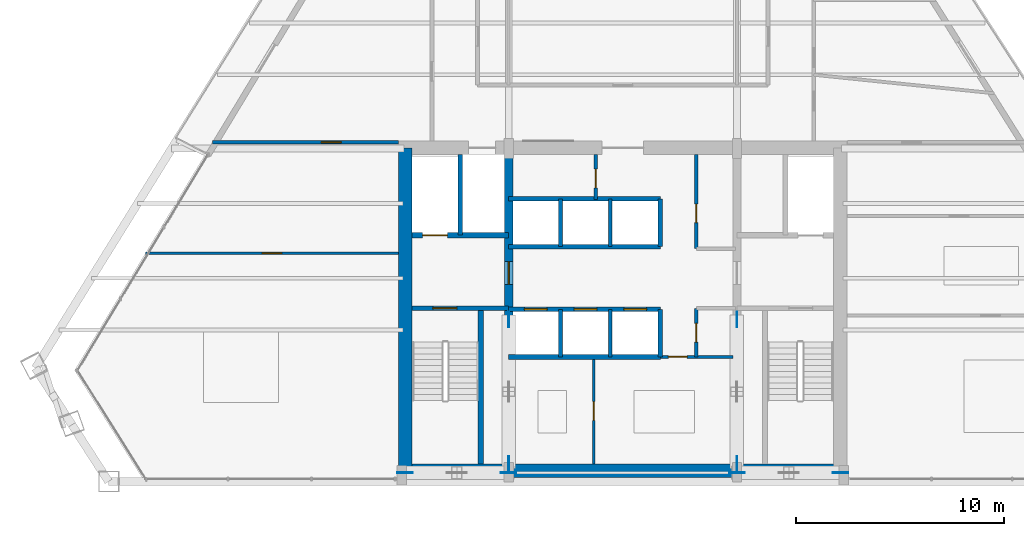
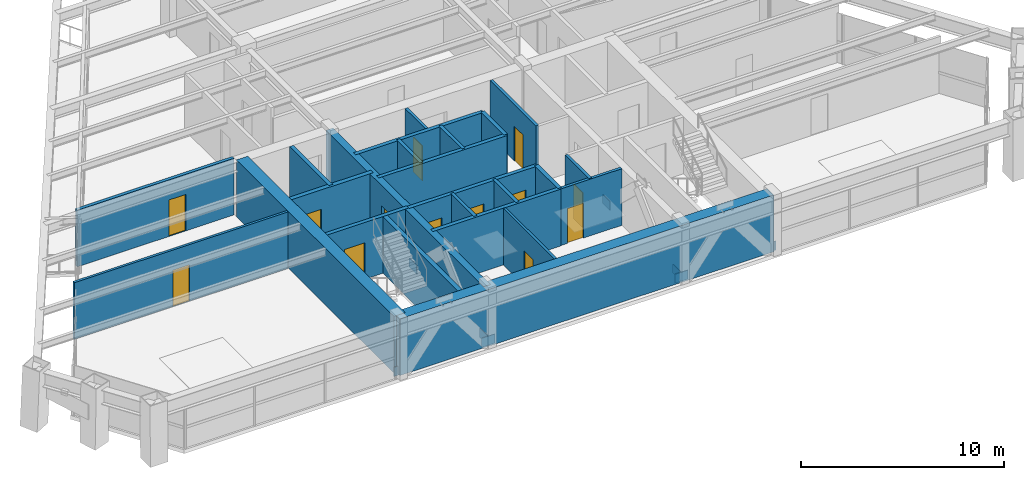
# One storey, part 8 of 12: 24 walls, 13 doors, 8 plates, 13 openings.
"""IFC4 building model written with IfcOpenShell, lengths in metres."""

from ifc_helpers import new_model, si_unit, direction, frame, frame_2d, origin, origin_2d, place, context, subcontext, project, spatial, rectangle, extrude, source, transform, mapped, material, layer, layer_set, type_object, type_shapes, element, fill, save


model = new_model("IFC4")

# Units and contexts
model_context = context("Model", 3, precision=1e-05, world=origin(), true_north=direction((0.0, 1.0)))
body_context = subcontext(model_context, "Body", "Model", "MODEL_VIEW")
ifc_project = project(units=[si_unit("LENGTHUNIT", "METRE"), si_unit("AREAUNIT", "SQUARE_METRE"), si_unit("VOLUMEUNIT", "CUBIC_METRE"), si_unit("PLANEANGLEUNIT", "RADIAN"), si_unit("MASSUNIT", "GRAM", prefix="KILO")], contexts=[model_context])

# Site, building, storey
site_placement = place(None, origin())
site = spatial("IfcSite", under=ifc_project, at=site_placement, CompositionType="ELEMENT")
building_placement = place(site_placement, origin())
building = spatial("IfcBuilding", under=site, at=building_placement, Name="Varnakhor Terracotta Tower", CompositionType="ELEMENT")
storey_placement = place(building_placement, frame((0.0, 0.0, 211.699951171875)))
storey = spatial("IfcBuildingStorey", under=building, at=storey_placement, Name="L54", CompositionType="ELEMENT", Elevation=211.699951171875)

# Plates
ifc_material_1 = material(Name="Steel S460", Category="steel")
ifc_layer_1 = layer(ifc_material_1, 0.050048828125, Name="Steel S460")
ifc_layer_set_1 = layer_set([ifc_layer_1], Name="Steel S460")
plate_type = type_object("IfcPlateType", Name="PLT-GUSSET-50", PredefinedType="USERDEFINED", material=ifc_layer_set_1)
shared_shape_1 = source(origin(), body_context, "Body", "SweptSolid", [
    extrude(rectangle(XDim=0.75, YDim=0.0400390625, at=origin_2d()), origin(), (0.0, 0.0, 1.0), 0.550048828125),
])
type_shapes(plate_type, [shared_shape_1])
for number, where, z_axis, x_axis, name in (
    (1, (-10.5, 0.419921875, -0.09521484375), (0.0, 0.0, 1.0), (1.0, 0.0, 0.0), "L54 Core Brace Embed Plate CSWA"),
    (2, (-5.5, 0.419921875, -0.09521484375), (0.0, 0.0, 1.0), (1.0, 0.0, 0.0), "L54 Core Brace Embed Plate CSWB"),
    (3, (5.5, 0.419921875, -0.09521484375), (0.0, 0.0, 1.0), (1.0, 0.0, 0.0), "L54 Core Brace Embed Plate CSEA"),
    (4, (10.5, 0.419921875, -0.09521484375), (0.0, 0.0, 1.0), (1.0, 0.0, 0.0), "L54 Core Brace Embed Plate CSEB"),
    (5, (-5.5, 0.85009765625, -0.09521484375), (0.0, 0.0, 1.0), (0.0, 1.0, 0.0), "L54 Core Brace Embed Plate CWWA"),
    (6, (-5.5, 7.800048828125, -0.09521484375), (0.0, 0.0, 1.0), (0.0, 1.0, 0.0), "L54 Core Brace Embed Plate CWWB"),
    (7, (5.5, 0.85009765625, -0.09521484375), (0.0, 0.0, 1.0), (0.0, 1.0, 0.0), "L54 Core Brace Embed Plate CWEA"),
    (8, (5.5, 7.800048828125, -0.09521484375), (0.0, 0.0, 1.0), (0.0, 1.0, 0.0), "L54 Core Brace Embed Plate CWEB"),
):
    element("IfcPlate", number, at=place(storey_placement, frame(where, z_axis=z_axis, x_axis=x_axis)), inside=storey, type_object=plate_type, Name=name, ObjectType="GUSSET PLATE", PredefinedType="USERDEFINED", context=body_context, shape_type="MappedRepresentation", body=[
        mapped(shared_shape_1, transform((0.0, 0.0, 0.0), scale=1.0)),
    ])

# Walls
ifc_material_2 = material(Name="Concrete C50/60", Category="concrete")
ifc_layer_2 = layer(ifc_material_2, 0.64990234375, Name="Concrete C50/60")
ifc_layer_set_2 = layer_set([ifc_layer_2], Name="Concrete C50/60")
wall_type_1 = type_object("IfcWallType", Name="WAL-CORE-650", PredefinedType="SHEAR", material=ifc_layer_set_2)
wall_1_placement = place(storey_placement, frame((-10.64990234375, 0.52490234375, 0.0), z_axis=(0.0, 0.0, 1.0), x_axis=(1.0, 0.0, 0.0)))
element("IfcWall", 9, at=wall_1_placement, inside=storey, type_object=wall_type_1, Name="L54 South Core Shear Wall", PredefinedType="SHEAR", context=body_context, shape_type="SweptSolid", body=[
    extrude(rectangle(XDim=21.2998046875, YDim=0.64990234375, at=frame_2d((10.64990234375, 0.0))), origin(), (0.0, 0.0, 1.0), 3.420166015625),
])
wall_2_placement = place(storey_placement, frame((-10.47509765625, 0.52490234375, 0.0), z_axis=(0.0, 0.0, 1.0), x_axis=(0.0, 1.0, 0.0)))
element("IfcWall", 10, at=wall_2_placement, inside=storey, type_object=wall_type_1, Name="L54 West Core Shear Wall", PredefinedType="SHEAR", context=body_context, shape_type="SweptSolid", body=[
    extrude(rectangle(XDim=15.550048828125, YDim=0.64990234375, at=frame_2d((7.77490234375, 0.0))), origin(), (0.0, 0.0, 1.0), 3.420166015625),
])

# Wall, opening, door
ifc_layer_3 = layer(ifc_material_2, 0.39990234375, Name="Concrete C50/60")
ifc_layer_set_3 = layer_set([ifc_layer_3], Name="Concrete C50/60")
wall_type_2 = type_object("IfcWallType", Name="WAL-CORE-WEB-400", PredefinedType="SHEAR", material=ifc_layer_set_3)
wall_3_placement = place(storey_placement, frame((-5.5, 0.52490234375, 0.0), z_axis=(0.0, 0.0, 1.0), x_axis=(0.0, 1.0, 0.0)))
wall_3 = element("IfcWall", 11, at=wall_3_placement, inside=storey, type_object=wall_type_2, Name="L54 West Core Web Shear Wall", PredefinedType="SHEAR", context=body_context, shape_type="SweptSolid", body=[
    extrude(rectangle(XDim=15.550048828125, YDim=0.39990234375, at=frame_2d((7.77490234375, 0.0))), origin(), (0.0, 0.0, 1.0), 3.420166015625),
])
opening_1_placement = place(wall_3_placement, frame((8.97509765625, 0.0, 0.0)))
opening_1 = element("IfcOpeningElement", 12, at=opening_1_placement, cuts=wall_3, Name="Opening DR-25", PredefinedType="OPENING", context=body_context, shape_type="SweptSolid", body=[
    extrude(rectangle(XDim=1.10009765625, YDim=2.199951171875, at=frame_2d((0.550048828125, 1.10009765625))), frame((0.0, 0.2099609375, 0.0), z_axis=(0.0, -1.0, 0.0), x_axis=(1.0, 0.0, 0.0)), (0.0, 0.0, 1.0), 0.419921875),
])
ifc_material_3 = material(Name="Firefighting Lobby Self-Closing Fire Door", Category="steel")
door_type_1 = type_object("IfcDoorType", Name="DR-FFL-1100X2200", OperationType="NOTDEFINED", PredefinedType="DOOR", material=ifc_material_3)
shared_shape_2 = source(origin(), body_context, "Body", "SweptSolid", [
    extrude(rectangle(XDim=1.10009765625, YDim=2.199951171875, at=frame_2d((0.550048828125, 1.10009765625))), frame((0.0, 0.02490234375, 0.0), z_axis=(0.0, -1.0, 0.0), x_axis=(1.0, 0.0, 0.0)), (0.0, 0.0, 1.0), 0.050048828125),
])
type_shapes(door_type_1, [shared_shape_2])
door_1_placement = place(opening_1_placement, origin())
door_1 = element("IfcDoor", 13, at=door_1_placement, inside=storey, type_object=door_type_1, Name="L54 West Firefighting Lobby Door", OperationType="SINGLE_SWING_RIGHT", OverallHeight=2.199951171875, OverallWidth=1.10009765625, PredefinedType="DOOR", context=body_context, shape_type="MappedRepresentation", body=[
    mapped(shared_shape_2, transform((0.0, 0.0, 0.0), scale=1.0)),
])
fill(opening_1, door_1)

ifc_material_4 = material(Name="Fire-Rated Gypsum Stud Partition", Category="gypsum")
ifc_layer_4 = layer(ifc_material_4, 0.18505859375, Name="Fire-Rated Gypsum Stud Partition")
ifc_layer_set_4 = layer_set([ifc_layer_4], Name="Fire-Rated Gypsum Stud Partition")
wall_type_3 = type_object("IfcWallType", Name="WAL-CORR-185", PredefinedType="PARTITIONING", material=ifc_layer_set_4)
wall_4_placement = place(storey_placement, frame((-19.76220703125, 16.35009765625, 0.0), z_axis=(0.0, 0.0, 1.0), x_axis=(1.0, 0.0, 0.0)))
wall_4 = element("IfcWall", 14, at=wall_4_placement, inside=storey, type_object=wall_type_3, Name="L54 South West Entry Wall", PredefinedType="PARTITIONING", context=body_context, shape_type="SweptSolid", body=[
    extrude(rectangle(XDim=8.942138671875, YDim=0.18505859375, at=frame_2d((4.47119140625, 0.0))), origin(), (0.0, 0.0, 1.0), 3.412109375),
])
opening_2_placement = place(wall_4_placement, frame((5.2353515625, 0.0, 0.0)))
opening_2 = element("IfcOpeningElement", 15, at=opening_2_placement, cuts=wall_4, Name="Opening DR-94", PredefinedType="OPENING", context=body_context, shape_type="SweptSolid", body=[
    extrude(rectangle(XDim=0.949951171875, YDim=2.199951171875, at=frame_2d((0.47509765625, 1.10009765625))), frame((0.0, 0.1025390625, 0.0), z_axis=(0.0, -1.0, 0.0), x_axis=(1.0, 0.0, 0.0)), (0.0, 0.0, 1.0), 0.205078125),
])
ifc_material_5 = material(Name="Acoustic Glazed-Vision Timber Office Door", Category="wood")
door_type_2 = type_object("IfcDoorType", Name="DR-OFF-950X2200", OperationType="NOTDEFINED", PredefinedType="DOOR", material=ifc_material_5)
shared_shape_3 = source(origin(), body_context, "Body", "SweptSolid", [
    extrude(rectangle(XDim=0.949951171875, YDim=2.199951171875, at=frame_2d((0.47509765625, 1.10009765625))), frame((0.0, 0.02490234375, 0.0), z_axis=(0.0, -1.0, 0.0), x_axis=(1.0, 0.0, 0.0)), (0.0, 0.0, 1.0), 0.050048828125),
])
type_shapes(door_type_2, [shared_shape_3])
door_2_placement = place(opening_2_placement, origin())
door_2 = element("IfcDoor", 16, at=door_2_placement, inside=storey, type_object=door_type_2, Name="L54 SW Suite Door", OperationType="SINGLE_SWING_LEFT", OverallHeight=2.199951171875, OverallWidth=0.949951171875, PredefinedType="DOOR", context=body_context, shape_type="MappedRepresentation", body=[
    mapped(shared_shape_3, transform((0.0, 0.0, 0.0), scale=1.0)),
])
fill(opening_2, door_2)

ifc_material_6 = material(Name="Concrete C40/50", Category="concrete")
ifc_layer_5 = layer(ifc_material_6, 0.219970703125, Name="Concrete C40/50")
ifc_layer_set_5 = layer_set([ifc_layer_5], Name="Concrete C40/50")
wall_type_4 = type_object("IfcWallType", Name="WAL-FFLOBBY-220", PredefinedType="SOLIDWALL", material=ifc_layer_set_5)
wall_5_placement = place(storey_placement, frame((-5.5, 8.35009765625, 0.0), z_axis=(0.0, 0.0, 1.0), x_axis=(-1.0, 0.0, 0.0)))
wall_5 = element("IfcWall", 17, at=wall_5_placement, inside=storey, type_object=wall_type_4, Name="L54 West Firefighting Lobby Stair Wall", PredefinedType="SOLIDWALL", context=body_context, shape_type="SweptSolid", body=[
    extrude(rectangle(XDim=4.64990234375, YDim=0.219970703125, at=frame_2d((2.324951171875, 0.0))), origin(), (0.0, 0.0, 1.0), 3.420166015625),
])
opening_3_placement = place(wall_5_placement, frame((2.5, 0.0, 0.0)))
opening_3 = element("IfcOpeningElement", 18, at=opening_3_placement, cuts=wall_5, Name="Opening DR-34", PredefinedType="OPENING", context=body_context, shape_type="SweptSolid", body=[
    extrude(rectangle(XDim=1.14990234375, YDim=2.199951171875, at=frame_2d((0.574951171875, 1.10009765625))), frame((0.0, 0.1201171875, 0.0), z_axis=(0.0, -1.0, 0.0), x_axis=(1.0, 0.0, 0.0)), (0.0, 0.0, 1.0), 0.239990234375),
])
ifc_material_7 = material(Name="Self-Closing Smoke-Sealed Steel Fire Door", Category="steel")
door_type_3 = type_object("IfcDoorType", Name="DR-STAIR-1150X2200", OperationType="NOTDEFINED", PredefinedType="DOOR", material=ifc_material_7)
shared_shape_4 = source(origin(), body_context, "Body", "SweptSolid", [
    extrude(rectangle(XDim=1.14990234375, YDim=2.199951171875, at=frame_2d((0.574951171875, 1.10009765625))), frame((0.0, 0.02490234375, 0.0), z_axis=(0.0, -1.0, 0.0), x_axis=(1.0, 0.0, 0.0)), (0.0, 0.0, 1.0), 0.050048828125),
])
type_shapes(door_type_3, [shared_shape_4])
door_3_placement = place(opening_3_placement, origin())
door_3 = element("IfcDoor", 19, at=door_3_placement, inside=storey, type_object=door_type_3, Name="L54 Exit Stair ST-1 Fire Door", OperationType="SINGLE_SWING_LEFT", OverallHeight=2.199951171875, OverallWidth=1.14990234375, PredefinedType="DOOR", context=body_context, shape_type="MappedRepresentation", body=[
    mapped(shared_shape_4, transform((0.0, 0.0, 0.0), scale=1.0)),
])
fill(opening_3, door_3)

ifc_material_8 = material(Name="Acoustic Metal-Stud Partition", Category="gypsum")
ifc_layer_6 = layer(ifc_material_8, 0.139892578125, Name="Acoustic Metal-Stud Partition")
ifc_layer_set_6 = layer_set([ifc_layer_6], Name="Acoustic Metal-Stud Partition")
wall_type_5 = type_object("IfcWallType", Name="WAL-PART-140", PredefinedType="PARTITIONING", material=ifc_layer_set_6)
wall_6_placement = place(storey_placement, frame((-22.997314453125, 11.0, 0.0), z_axis=(0.0, 0.0, 1.0), x_axis=(1.0, 0.0, 0.0)))
wall_6 = element("IfcWall", 20, at=wall_6_placement, inside=storey, type_object=wall_type_5, Name="L54 West Wing Cut 1", PredefinedType="PARTITIONING", context=body_context, shape_type="SweptSolid", body=[
    extrude(rectangle(XDim=12.17724609375, YDim=0.139892578125, at=frame_2d((6.088623046875, 0.0))), origin(), (0.0, 0.0, 1.0), 3.412109375),
])
opening_4_placement = place(wall_6_placement, frame((5.618408203125, 0.0, 0.0)))
opening_4 = element("IfcOpeningElement", 21, at=opening_4_placement, cuts=wall_6, Name="Opening DR-94", PredefinedType="OPENING", context=body_context, shape_type="SweptSolid", body=[
    extrude(rectangle(XDim=0.949951171875, YDim=2.199951171875, at=frame_2d((0.47509765625, 1.10009765625))), frame((0.0, 0.080078125, 0.0), z_axis=(0.0, -1.0, 0.0), x_axis=(1.0, 0.0, 0.0)), (0.0, 0.0, 1.0), 0.159912109375),
])
door_4_placement = place(opening_4_placement, origin())
door_4 = element("IfcDoor", 22, at=door_4_placement, inside=storey, type_object=door_type_2, Name="L54 Counsel Study Room Door", OperationType="SINGLE_SWING_LEFT", OverallHeight=2.199951171875, OverallWidth=0.949951171875, PredefinedType="DOOR", context=body_context, shape_type="MappedRepresentation", body=[
    mapped(shared_shape_3, transform((0.0, 0.0, 0.0), scale=1.0)),
])
fill(opening_4, door_4)

# Walls
ifc_layer_7 = layer(ifc_material_6, 0.179931640625, Name="Concrete C40/50")
ifc_layer_set_7 = layer_set([ifc_layer_7], Name="Concrete C40/50")
wall_type_6 = type_object("IfcWallType", Name="WAL-SHAFT-180", PredefinedType="SOLIDWALL", material=ifc_layer_set_7)
for number, where, z_axis, x_axis, name in (
    (23, (-3.0, 6.0, 0.0), (0.0, 0.0, 1.0), (0.0, 1.0, 0.0), "L54 PL-2A Divider"),
    (24, (-0.60009765625, 6.0, 0.0), (0.0, 0.0, 1.0), (0.0, 1.0, 0.0), "L54 PL-2B Divider"),
    (25, (-3.0, 11.320068359375, 0.0), (0.0, 0.0, 1.0), (0.0, 1.0, 0.0), "L54 PL-3A Divider"),
    (26, (-0.60009765625, 11.320068359375, 0.0), (0.0, 0.0, 1.0), (0.0, 1.0, 0.0), "L54 PL-3B Divider"),
):
    element("IfcWall", number, at=place(storey_placement, frame(where, z_axis=z_axis, x_axis=x_axis)), inside=storey, type_object=wall_type_6, Name=name, PredefinedType="SOLIDWALL", context=body_context, shape_type="SweptSolid", body=[
        extrude(rectangle(XDim=2.300048828125, YDim=0.179931640625, at=frame_2d((1.14990234375, 0.0))), origin(), (0.0, 0.0, 1.0), 3.420166015625),
    ])
ifc_layer_8 = layer(ifc_material_6, 0.219970703125, Name="Concrete C40/50")
ifc_layer_set_8 = layer_set([ifc_layer_8], Name="Concrete C40/50")
wall_type_7 = type_object("IfcWallType", Name="WAL-SHAFT-220", PredefinedType="SOLIDWALL", material=ifc_layer_set_8)
wall_7_placement = place(storey_placement, frame((-7.840087890625, 11.8701171875, 0.0), z_axis=(0.0, 0.0, 1.0), x_axis=(0.0, 1.0, 0.0)))
element("IfcWall", 27, at=wall_7_placement, inside=storey, type_object=wall_type_7, Name="L54 Lift FFL-1 and SVL-1 Divider Wall", PredefinedType="SOLIDWALL", context=body_context, shape_type="SweptSolid", body=[
    extrude(rectangle(XDim=3.8798828125, YDim=0.219970703125, at=frame_2d((1.93994140625, 0.0))), origin(), (0.0, 0.0, 1.0), 3.420166015625),
])
wall_8_placement = place(storey_placement, frame((-5.5, 6.0, 0.0), z_axis=(0.0, 0.0, 1.0), x_axis=(1.0, 0.0, 0.0)))
element("IfcWall", 28, at=wall_8_placement, inside=storey, type_object=wall_type_7, Name="L54 Bank 2 South Shaft Wall", PredefinedType="SOLIDWALL", context=body_context, shape_type="SweptSolid", body=[
    extrude(rectangle(XDim=7.320068359375, YDim=0.219970703125, at=frame_2d((3.66015625, 0.0))), origin(), (0.0, 0.0, 1.0), 3.420166015625),
])

# Wall, openings, doors
wall_9_placement = place(storey_placement, frame((-5.5, 8.300048828125, 0.0), z_axis=(0.0, 0.0, 1.0), x_axis=(1.0, 0.0, 0.0)))
wall_9 = element("IfcWall", 29, at=wall_9_placement, inside=storey, type_object=wall_type_7, Name="L54 Bank 2 North Shaft Wall", PredefinedType="SOLIDWALL", context=body_context, shape_type="SweptSolid", body=[
    extrude(rectangle(XDim=7.320068359375, YDim=0.219970703125, at=frame_2d((3.66015625, 0.0))), origin(), (0.0, 0.0, 1.0), 3.420166015625),
])
opening_5_placement = place(wall_9_placement, frame((0.75, 0.0, 0.0)))
opening_5 = element("IfcOpeningElement", 30, at=opening_5_placement, cuts=wall_9, Name="Opening LD-01", PredefinedType="OPENING", context=body_context, shape_type="SweptSolid", body=[
    extrude(rectangle(XDim=1.10009765625, YDim=2.199951171875, at=frame_2d((0.550048828125, 1.10009765625))), frame((0.0, 0.1201171875, 0.0), z_axis=(0.0, -1.0, 0.0), x_axis=(1.0, 0.0, 0.0)), (0.0, 0.0, 1.0), 0.239990234375),
])
opening_6_placement = place(wall_9_placement, frame((3.14990234375, 0.0, 0.0)))
opening_6 = element("IfcOpeningElement", 31, at=opening_6_placement, cuts=wall_9, Name="Opening LD-01", PredefinedType="OPENING", context=body_context, shape_type="SweptSolid", body=[
    extrude(rectangle(XDim=1.10009765625, YDim=2.199951171875, at=frame_2d((0.550048828125, 1.10009765625))), frame((0.0, 0.1201171875, 0.0), z_axis=(0.0, -1.0, 0.0), x_axis=(1.0, 0.0, 0.0)), (0.0, 0.0, 1.0), 0.239990234375),
])
opening_7_placement = place(wall_9_placement, frame((5.550048828125, 0.0, 0.0)))
opening_7 = element("IfcOpeningElement", 32, at=opening_7_placement, cuts=wall_9, Name="Opening LD-01", PredefinedType="OPENING", context=body_context, shape_type="SweptSolid", body=[
    extrude(rectangle(XDim=1.10009765625, YDim=2.199951171875, at=frame_2d((0.550048828125, 1.10009765625))), frame((0.0, 0.1201171875, 0.0), z_axis=(0.0, -1.0, 0.0), x_axis=(1.0, 0.0, 0.0)), (0.0, 0.0, 1.0), 0.239990234375),
])
ifc_material_9 = material(Name="Brushed Stainless Steel Sliding Lift Landing Door", Category="steel")
door_type_4 = type_object("IfcDoorType", Name="LD-PASS-1100X2200", OperationType="NOTDEFINED", PredefinedType="DOOR", material=ifc_material_9)
shared_shape_5 = source(origin(), body_context, "Body", "SweptSolid", [
    extrude(rectangle(XDim=1.10009765625, YDim=2.199951171875, at=frame_2d((0.550048828125, 1.10009765625))), frame((0.0, 0.02490234375, 0.0), z_axis=(0.0, -1.0, 0.0), x_axis=(1.0, 0.0, 0.0)), (0.0, 0.0, 1.0), 0.050048828125),
])
type_shapes(door_type_4, [shared_shape_5])
door_5_placement = place(opening_5_placement, origin())
door_5 = element("IfcDoor", 33, at=door_5_placement, inside=storey, type_object=door_type_4, Name="L54 Passenger Lift PL-2A Landing Door", OperationType="SLIDING_TO_LEFT", OverallHeight=2.199951171875, OverallWidth=1.10009765625, PredefinedType="DOOR", context=body_context, shape_type="MappedRepresentation", body=[
    mapped(shared_shape_5, transform((0.0, 0.0, 0.0), scale=1.0)),
])
fill(opening_5, door_5)
door_6_placement = place(opening_6_placement, origin())
door_6 = element("IfcDoor", 34, at=door_6_placement, inside=storey, type_object=door_type_4, Name="L54 Passenger Lift PL-2B Landing Door", OperationType="SLIDING_TO_LEFT", OverallHeight=2.199951171875, OverallWidth=1.10009765625, PredefinedType="DOOR", context=body_context, shape_type="MappedRepresentation", body=[
    mapped(shared_shape_5, transform((0.0, 0.0, 0.0), scale=1.0)),
])
fill(opening_6, door_6)
door_7_placement = place(opening_7_placement, origin())
door_7 = element("IfcDoor", 35, at=door_7_placement, inside=storey, type_object=door_type_4, Name="L54 Passenger Lift PL-2C Landing Door", OperationType="SLIDING_TO_LEFT", OverallHeight=2.199951171875, OverallWidth=1.10009765625, PredefinedType="DOOR", context=body_context, shape_type="MappedRepresentation", body=[
    mapped(shared_shape_5, transform((0.0, 0.0, 0.0), scale=1.0)),
])
fill(opening_7, door_7)

# Walls
wall_10_placement = place(storey_placement, frame((1.800048828125, 6.0, 0.0), z_axis=(0.0, 0.0, 1.0), x_axis=(0.0, 1.0, 0.0)))
element("IfcWall", 36, at=wall_10_placement, inside=storey, type_object=wall_type_7, Name="L54 Bank 2 East Shaft Wall", PredefinedType="SOLIDWALL", context=body_context, shape_type="SweptSolid", body=[
    extrude(rectangle(XDim=2.300048828125, YDim=0.219970703125, at=frame_2d((1.14990234375, 0.0))), origin(), (0.0, 0.0, 1.0), 3.420166015625),
])
for number, where, z_axis, x_axis, name in (
    (37, (-5.5, 11.320068359375, 0.0), (0.0, 0.0, 1.0), (1.0, 0.0, 0.0), "L54 Bank 3 South Shaft Wall"),
    (38, (-5.5, 13.6201171875, 0.0), (0.0, 0.0, 1.0), (1.0, 0.0, 0.0), "L54 Bank 3 North Shaft Wall"),
):
    element("IfcWall", number, at=place(storey_placement, frame(where, z_axis=z_axis, x_axis=x_axis)), inside=storey, type_object=wall_type_7, Name=name, PredefinedType="SOLIDWALL", context=body_context, shape_type="SweptSolid", body=[
        extrude(rectangle(XDim=7.320068359375, YDim=0.219970703125, at=frame_2d((3.66015625, 0.0))), origin(), (0.0, 0.0, 1.0), 3.420166015625),
    ])
wall_11_placement = place(storey_placement, frame((1.800048828125, 11.320068359375, 0.0), z_axis=(0.0, 0.0, 1.0), x_axis=(0.0, 1.0, 0.0)))
element("IfcWall", 39, at=wall_11_placement, inside=storey, type_object=wall_type_7, Name="L54 Bank 3 East Shaft Wall", PredefinedType="SOLIDWALL", context=body_context, shape_type="SweptSolid", body=[
    extrude(rectangle(XDim=2.300048828125, YDim=0.219970703125, at=frame_2d((1.14990234375, 0.0))), origin(), (0.0, 0.0, 1.0), 3.420166015625),
])
ifc_layer_9 = layer(ifc_material_6, 0.25, Name="Concrete C40/50")
ifc_layer_set_9 = layer_set([ifc_layer_9], Name="Concrete C40/50")
wall_type_8 = type_object("IfcWallType", Name="WAL-SHAFT-250", PredefinedType="SOLIDWALL", material=ifc_layer_set_9)
wall_12_placement = place(storey_placement, frame((-6.85009765625, 0.85009765625, 0.0), z_axis=(0.0, 0.0, 1.0), x_axis=(0.0, 1.0, 0.0)))
element("IfcWall", 40, at=wall_12_placement, inside=storey, type_object=wall_type_8, Name="L54 Stair ST-1 Bearing Shaft Wall", PredefinedType="SOLIDWALL", context=body_context, shape_type="SweptSolid", body=[
    extrude(rectangle(XDim=7.5, YDim=0.25, at=frame_2d((3.75, 0.0))), origin(), (0.0, 0.0, 1.0), 3.420166015625),
])

# Wall, opening, door
wall_13_placement = place(storey_placement, frame((-5.5, 11.8701171875, 0.0), z_axis=(0.0, 0.0, 1.0), x_axis=(-1.0, 0.0, 0.0)))
wall_13 = element("IfcWall", 41, at=wall_13_placement, inside=storey, type_object=wall_type_8, Name="L54 Lift FFL-1 Shaft Front Wall", PredefinedType="SOLIDWALL", context=body_context, shape_type="SweptSolid", body=[
    extrude(rectangle(XDim=4.64990234375, YDim=0.25, at=frame_2d((2.324951171875, 0.0))), origin(), (0.0, 0.0, 1.0), 3.420166015625),
])
opening_8_placement = place(wall_13_placement, frame((2.949951171875, 0.0, 0.0)))
opening_8 = element("IfcOpeningElement", 42, at=opening_8_placement, cuts=wall_13, Name="Opening LD-02", PredefinedType="OPENING", context=body_context, shape_type="SweptSolid", body=[
    extrude(rectangle(XDim=1.199951171875, YDim=2.25, at=frame_2d((0.60009765625, 1.125))), frame((0.0, 0.135009765625, 0.0), z_axis=(0.0, -1.0, 0.0), x_axis=(1.0, 0.0, 0.0)), (0.0, 0.0, 1.0), 0.27001953125),
])
ifc_material_10 = material(Name="Firefighting Stretcher Sliding Lift Landing Door", Category="steel")
door_type_5 = type_object("IfcDoorType", Name="LD-FFL-1200X2250", OperationType="NOTDEFINED", PredefinedType="DOOR", material=ifc_material_10)
shared_shape_6 = source(origin(), body_context, "Body", "SweptSolid", [
    extrude(rectangle(XDim=1.199951171875, YDim=2.25, at=frame_2d((0.60009765625, 1.125))), frame((0.0, 0.02490234375, 0.0), z_axis=(0.0, -1.0, 0.0), x_axis=(1.0, 0.0, 0.0)), (0.0, 0.0, 1.0), 0.050048828125),
])
type_shapes(door_type_5, [shared_shape_6])
door_8_placement = place(opening_8_placement, origin())
door_8 = element("IfcDoor", 43, at=door_8_placement, inside=storey, type_object=door_type_5, Name="L54 Firefighting Lift FFL-1 Landing Door", OperationType="SLIDING_TO_LEFT", OverallHeight=2.25, OverallWidth=1.199951171875, PredefinedType="DOOR", context=body_context, shape_type="MappedRepresentation", body=[
    mapped(shared_shape_6, transform((0.0, 0.0, 0.0), scale=1.0)),
])
fill(opening_8, door_8)

ifc_material_11 = material(Name="Acoustic Fire-Rated Partition", Category="gypsum")
ifc_layer_10 = layer(ifc_material_11, 0.139892578125, Name="Acoustic Fire-Rated Partition")
ifc_layer_set_10 = layer_set([ifc_layer_10], Name="Acoustic Fire-Rated Partition")
wall_type_9 = type_object("IfcWallType", Name="WAL-TENANCY-140", PredefinedType="PARTITIONING", material=ifc_layer_set_10)
wall_14_placement = place(storey_placement, frame((-1.39990234375, 0.85009765625, 0.0), z_axis=(0.0, 0.0, 1.0), x_axis=(0.0, 1.0, 0.0)))
wall_14 = element("IfcWall", 44, at=wall_14_placement, inside=storey, type_object=wall_type_9, Name="L54 Reclaimed Core Bay Split Wall", PredefinedType="PARTITIONING", context=body_context, shape_type="SweptSolid", body=[
    extrude(rectangle(XDim=5.02978515625, YDim=0.139892578125, at=frame_2d((2.514892578125, 0.0))), origin(), (0.0, 0.0, 1.0), 3.412109375),
])
opening_9_placement = place(wall_14_placement, frame((2.10009765625, 0.0, 0.0)))
opening_9 = element("IfcOpeningElement", 45, at=opening_9_placement, cuts=wall_14, Name="Opening DR-67", PredefinedType="OPENING", context=body_context, shape_type="SweptSolid", body=[
    extrude(rectangle(XDim=0.89990234375, YDim=2.10009765625, at=frame_2d((0.449951171875, 1.050048828125))), frame((0.0, 0.080078125, 0.0), z_axis=(0.0, -1.0, 0.0), x_axis=(1.0, 0.0, 0.0)), (0.0, 0.0, 1.0), 0.159912109375),
])
ifc_material_12 = material(Name="Steel Service Riser Fire Door", Category="steel")
door_type_6 = type_object("IfcDoorType", Name="DR-RISER-900X2100", OperationType="NOTDEFINED", PredefinedType="DOOR", material=ifc_material_12)
shared_shape_7 = source(origin(), body_context, "Body", "SweptSolid", [
    extrude(rectangle(XDim=0.89990234375, YDim=2.10009765625, at=frame_2d((0.449951171875, 1.050048828125))), frame((0.0, 0.02490234375, 0.0), z_axis=(0.0, -1.0, 0.0), x_axis=(1.0, 0.0, 0.0)), (0.0, 0.0, 1.0), 0.050048828125),
])
type_shapes(door_type_6, [shared_shape_7])
door_9_placement = place(opening_9_placement, origin())
door_9 = element("IfcDoor", 46, at=door_9_placement, inside=storey, type_object=door_type_6, Name="L54 Core Inner Service Door", OperationType="SINGLE_SWING_RIGHT", OverallHeight=2.10009765625, OverallWidth=0.89990234375, PredefinedType="DOOR", context=body_context, shape_type="MappedRepresentation", body=[
    mapped(shared_shape_7, transform((0.0, 0.0, 0.0), scale=1.0)),
])
fill(opening_9, door_9)

ifc_layer_11 = layer(ifc_material_11, 0.1650390625, Name="Acoustic Fire-Rated Partition")
ifc_layer_set_11 = layer_set([ifc_layer_11], Name="Acoustic Fire-Rated Partition")
wall_type_10 = type_object("IfcWallType", Name="WAL-TENANCY-165", PredefinedType="PARTITIONING", material=ifc_layer_set_11)
wall_15_placement = place(storey_placement, frame((1.820068359375, 6.0, 0.0), z_axis=(0.0, 0.0, 1.0), x_axis=(1.0, 0.0, 0.0)))
wall_15 = element("IfcWall", 47, at=wall_15_placement, inside=storey, type_object=wall_type_10, Name="L54 Reclaimed Core Bay North Rated Wall", PredefinedType="PARTITIONING", context=body_context, shape_type="SweptSolid", body=[
    extrude(rectangle(XDim=3.47998046875, YDim=0.1650390625, at=frame_2d((1.739990234375, 0.0))), origin(), (0.0, 0.0, 1.0), 3.412109375),
])
opening_10_placement = place(wall_15_placement, frame((0.3798828125, 0.0, 0.0)))
opening_10 = element("IfcOpeningElement", 48, at=opening_10_placement, cuts=wall_15, Name="Opening DR-67", PredefinedType="OPENING", context=body_context, shape_type="SweptSolid", body=[
    extrude(rectangle(XDim=0.89990234375, YDim=2.10009765625, at=frame_2d((0.449951171875, 1.050048828125))), frame((0.0, 0.092529296875, 0.0), z_axis=(0.0, -1.0, 0.0), x_axis=(1.0, 0.0, 0.0)), (0.0, 0.0, 1.0), 0.18505859375),
])
door_10_placement = place(opening_10_placement, origin())
door_10 = element("IfcDoor", 49, at=door_10_placement, inside=storey, type_object=door_type_6, Name="L54 Core Reclaimed Suite Door", OperationType="SINGLE_SWING_LEFT", OverallHeight=2.10009765625, OverallWidth=0.89990234375, PredefinedType="DOOR", context=body_context, shape_type="MappedRepresentation", body=[
    mapped(shared_shape_7, transform((0.0, 0.0, 0.0), scale=1.0)),
])
fill(opening_10, door_10)

wall_16_placement = place(storey_placement, frame((3.5400390625, 6.0, 0.0), z_axis=(0.0, 0.0, 1.0), x_axis=(0.0, 1.0, 0.0)))
wall_16 = element("IfcWall", 50, at=wall_16_placement, inside=storey, type_object=wall_type_10, Name="L54 Accessible WC Rated Wall", PredefinedType="PARTITIONING", context=body_context, shape_type="SweptSolid", body=[
    extrude(rectangle(XDim=2.340087890625, YDim=0.1650390625, at=frame_2d((1.169921875, 0.0))), origin(), (0.0, 0.0, 1.0), 3.412109375),
])
opening_11_placement = place(wall_16_placement, frame((0.719970703125, 0.0, 0.0)))
opening_11 = element("IfcOpeningElement", 51, at=opening_11_placement, cuts=wall_16, Name="Opening DR-67", PredefinedType="OPENING", context=body_context, shape_type="SweptSolid", body=[
    extrude(rectangle(XDim=0.89990234375, YDim=2.10009765625, at=frame_2d((0.449951171875, 1.050048828125))), frame((0.0, 0.092529296875, 0.0), z_axis=(0.0, -1.0, 0.0), x_axis=(1.0, 0.0, 0.0)), (0.0, 0.0, 1.0), 0.18505859375),
])
door_11_placement = place(opening_11_placement, origin())
door_11 = element("IfcDoor", 52, at=door_11_placement, inside=storey, type_object=door_type_6, Name="L54 Accessible WC Door", OperationType="SINGLE_SWING_LEFT", OverallHeight=2.10009765625, OverallWidth=0.89990234375, PredefinedType="DOOR", context=body_context, shape_type="MappedRepresentation", body=[
    mapped(shared_shape_7, transform((0.0, 0.0, 0.0), scale=1.0)),
])
fill(opening_11, door_11)

wall_17_placement = place(storey_placement, frame((-1.300048828125, 13.60009765625, 0.0), z_axis=(0.0, 0.0, 1.0), x_axis=(0.0, 1.0, 0.0)))
wall_17 = element("IfcWall", 53, at=wall_17_placement, inside=storey, type_object=wall_type_10, Name="L54 Male Restroom Wall", PredefinedType="PARTITIONING", context=body_context, shape_type="SweptSolid", body=[
    extrude(rectangle(XDim=2.14990234375, YDim=0.1650390625, at=frame_2d((1.074951171875, 0.0))), origin(), (0.0, 0.0, 1.0), 3.412109375),
])
opening_12_placement = place(wall_17_placement, frame((0.550048828125, 0.0, 0.0)))
opening_12 = element("IfcOpeningElement", 54, at=opening_12_placement, cuts=wall_17, Name="Opening DR-67", PredefinedType="OPENING", context=body_context, shape_type="SweptSolid", body=[
    extrude(rectangle(XDim=0.89990234375, YDim=2.10009765625, at=frame_2d((0.449951171875, 1.050048828125))), frame((0.0, 0.092529296875, 0.0), z_axis=(0.0, -1.0, 0.0), x_axis=(1.0, 0.0, 0.0)), (0.0, 0.0, 1.0), 0.18505859375),
])
door_12_placement = place(opening_12_placement, origin())
door_12 = element("IfcDoor", 55, at=door_12_placement, inside=storey, type_object=door_type_6, Name="L54 Male WC Door", OperationType="SINGLE_SWING_RIGHT", OverallHeight=2.10009765625, OverallWidth=0.89990234375, PredefinedType="DOOR", context=body_context, shape_type="MappedRepresentation", body=[
    mapped(shared_shape_7, transform((0.0, 0.0, 0.0), scale=1.0)),
])
fill(opening_12, door_12)

wall_18_placement = place(storey_placement, frame((3.5400390625, 11.219970703125, 0.0), z_axis=(0.0, 0.0, 1.0), x_axis=(0.0, 1.0, 0.0)))
wall_18 = element("IfcWall", 56, at=wall_18_placement, inside=storey, type_object=wall_type_10, Name="L54 Restroom Corridor Wall", PredefinedType="PARTITIONING", context=body_context, shape_type="SweptSolid", body=[
    extrude(rectangle(XDim=4.530029296875, YDim=0.1650390625, at=frame_2d((2.26513671875, 0.0))), origin(), (0.0, 0.0, 1.0), 3.412109375),
])
opening_13_placement = place(wall_18_placement, frame((1.25, 0.0, 0.0)))
opening_13 = element("IfcOpeningElement", 57, at=opening_13_placement, cuts=wall_18, Name="Opening DR-67", PredefinedType="OPENING", context=body_context, shape_type="SweptSolid", body=[
    extrude(rectangle(XDim=0.89990234375, YDim=2.10009765625, at=frame_2d((0.449951171875, 1.050048828125))), frame((0.0, 0.092529296875, 0.0), z_axis=(0.0, -1.0, 0.0), x_axis=(1.0, 0.0, 0.0)), (0.0, 0.0, 1.0), 0.18505859375),
])
door_13_placement = place(opening_13_placement, origin())
door_13 = element("IfcDoor", 58, at=door_13_placement, inside=storey, type_object=door_type_6, Name="L54 Female WC Door", OperationType="SINGLE_SWING_LEFT", OverallHeight=2.10009765625, OverallWidth=0.89990234375, PredefinedType="DOOR", context=body_context, shape_type="MappedRepresentation", body=[
    mapped(shared_shape_7, transform((0.0, 0.0, 0.0), scale=1.0)),
])
fill(opening_13, door_13)

save(model, "model.ifc")
